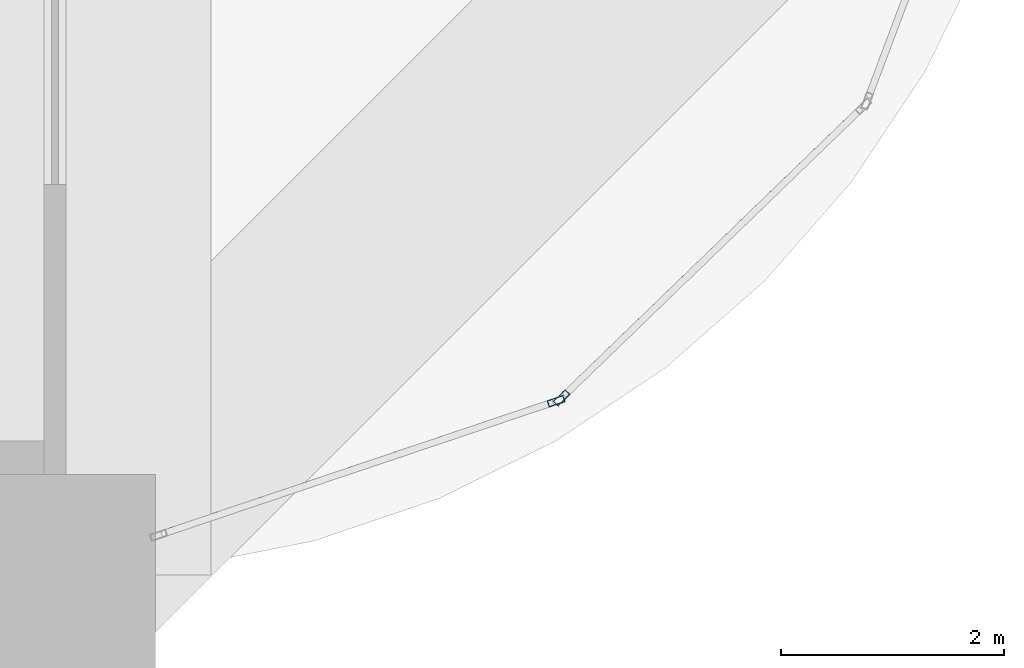
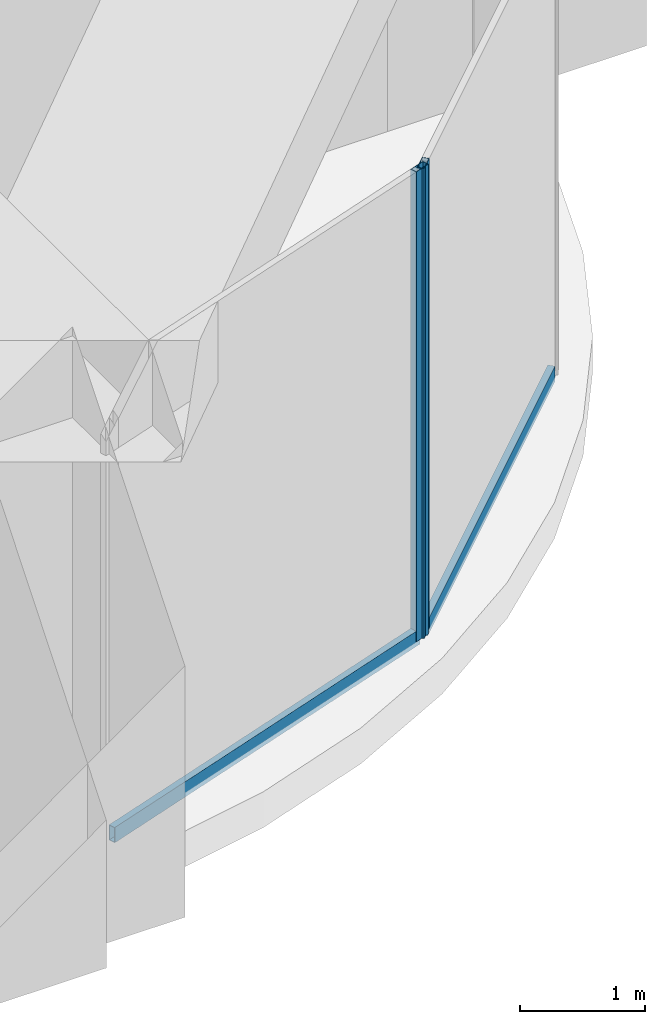
# One storey, part 16 of 38: 4 members, 2 elements without a shape of their own.
"""IFC4 building model written with IfcOpenShell, lengths in metres."""

from ifc_helpers import new_model, si_unit, direction, frame, origin, origin_2d, place, context, subcontext, project, spatial, hollow_rectangle, extrude, material, material_profile, profile_set, type_object, element, aggregate, save


model = new_model("IFC4")

# Units and contexts
model_context = context("Model", 3, precision=1e-05, world=origin(), true_north=direction((0.0, 1.0)))
body_context = subcontext(model_context, "Body", "Model", "MODEL_VIEW")
ifc_project = project(units=[si_unit("LENGTHUNIT", "METRE"), si_unit("AREAUNIT", "SQUARE_METRE"), si_unit("VOLUMEUNIT", "CUBIC_METRE"), si_unit("PLANEANGLEUNIT", "RADIAN"), si_unit("MASSUNIT", "GRAM", prefix="KILO")], contexts=[model_context])

# Site, building, storey
site_placement = place(None, origin())
site = spatial("IfcSite", under=ifc_project, at=site_placement, CompositionType="ELEMENT")
building_placement = place(site_placement, origin())
building = spatial("IfcBuilding", under=site, at=building_placement, Name="Zorevar Civic Tower", CompositionType="ELEMENT")
storey_placement = place(building_placement, frame((0.0, 0.0, 157.199951171875)))
storey = spatial("IfcBuildingStorey", under=building, at=storey_placement, Name="L38", CompositionType="ELEMENT", Elevation=157.199951171875)

# Curtain wall, member
ifc_material_1 = material(Name="Black aluminium louvres", Category="aluminium")
curtain_wall_type = type_object("IfcCurtainWallType", Name="Louvred curtain wall CW6 refuge", PredefinedType="NOTDEFINED", material=ifc_material_1)
curtain_wall_1_placement = place(storey_placement, origin())
curtain_wall_1 = element("IfcCurtainWall", 1, at=curtain_wall_1_placement, inside=storey, type_object=curtain_wall_type, Name="CW6 L38", PredefinedType="NOTDEFINED")
ifc_material_2 = material(Name="Aluminium, black anodised", Category="aluminium")
ifc_material_profile_1 = material_profile(ifc_material_2, hollow_rectangle(XDim=0.06005859375, YDim=0.14990234375, WallThickness=0.00390625, at=origin_2d()), Name="AL 150x60x4")
ifc_profile_set_1 = profile_set([ifc_material_profile_1], Name="Aluminium, black anodised")
member_type_1 = type_object("IfcMemberType", Name="CW6 mullion AL 150x60x4", PredefinedType="MULLION", material=ifc_profile_set_1)
member_1_placement = place(storey_placement, frame((58.493408203125, 1.557861328125, 0.0), z_axis=(0.0, 0.0, 1.0), x_axis=(-0.319412525043, 0.947615765406, 0.0)))
member_1 = element("IfcMember", 2, at=member_1_placement, type_object=member_type_1, Name="CW6 mullion 2", PredefinedType="MULLION", context=body_context, shape_type="SweptSolid", body=[
    extrude(hollow_rectangle(XDim=0.06005859375, YDim=0.14990234375, WallThickness=0.00390625, at=origin_2d()), origin(), (0.0, 0.0, 1.0), 4.60009765625),
])

curtain_wall_2_placement = place(storey_placement, origin())
curtain_wall_2 = element("IfcCurtainWall", 3, at=curtain_wall_2_placement, inside=storey, type_object=curtain_wall_type, Name="CW6 L38", PredefinedType="NOTDEFINED")
member_2_placement = place(storey_placement, frame((58.54345703125, 1.58837890625, 0.0), z_axis=(0.0, 0.0, 1.0), x_axis=(-0.694719089155, 0.719281160023, 0.0)))
member_2 = element("IfcMember", 4, at=member_2_placement, type_object=member_type_1, Name="CW6 mullion 1", PredefinedType="MULLION", context=body_context, shape_type="SweptSolid", body=[
    extrude(hollow_rectangle(XDim=0.06005859375, YDim=0.14990234375, WallThickness=0.00390625, at=origin_2d()), origin(), (0.0, 0.0, 1.0), 4.60009765625),
])

# Member
ifc_material_3 = material(Name="Aluminium, black anodised", Category="aluminium")
ifc_material_profile_2 = material_profile(ifc_material_3, hollow_rectangle(XDim=0.06005859375, YDim=0.14990234375, WallThickness=0.00390625, at=origin_2d()), Name="AL 150x60x4")
ifc_profile_set_2 = profile_set([ifc_material_profile_2], Name="Aluminium, black anodised")
member_type_2 = type_object("IfcMemberType", Name="CW6 transom AL 150x60x4", PredefinedType="USERDEFINED", material=ifc_profile_set_2)
member_3_placement = place(storey_placement, frame((54.956787109375, 0.365966796875, 0.030029296875), z_axis=(0.9476295577, 0.319371603893, 0.0), x_axis=(-0.319371603893, 0.9476295577, 0.0)))
member_3 = element("IfcMember", 5, at=member_3_placement, type_object=member_type_2, Name="CW6 sill transom", ObjectType="TRANSOM", PredefinedType="USERDEFINED", context=body_context, shape_type="SweptSolid", body=[
    extrude(hollow_rectangle(XDim=0.06005859375, YDim=0.14990234375, WallThickness=0.00390625, at=origin_2d()), origin(), (0.0, 0.0, 1.0), 3.7021484375),
])

aggregate(curtain_wall_1, [member_1, member_3])

member_4_placement = place(storey_placement, frame((58.56494140625, 1.609130859375, 0.030029296875), z_axis=(0.719266228526, 0.694734548228, 0.0), x_axis=(-0.694734548228, 0.719266228526, 0.0)))
member_4 = element("IfcMember", 6, at=member_4_placement, type_object=member_type_2, Name="CW6 sill transom", ObjectType="TRANSOM", PredefinedType="USERDEFINED", context=body_context, shape_type="SweptSolid", body=[
    extrude(hollow_rectangle(XDim=0.06005859375, YDim=0.14990234375, WallThickness=0.00390625, at=origin_2d()), origin(), (0.0, 0.0, 1.0), 3.7021484375),
])

aggregate(curtain_wall_2, [member_2, member_4])

save(model, "model.ifc")
